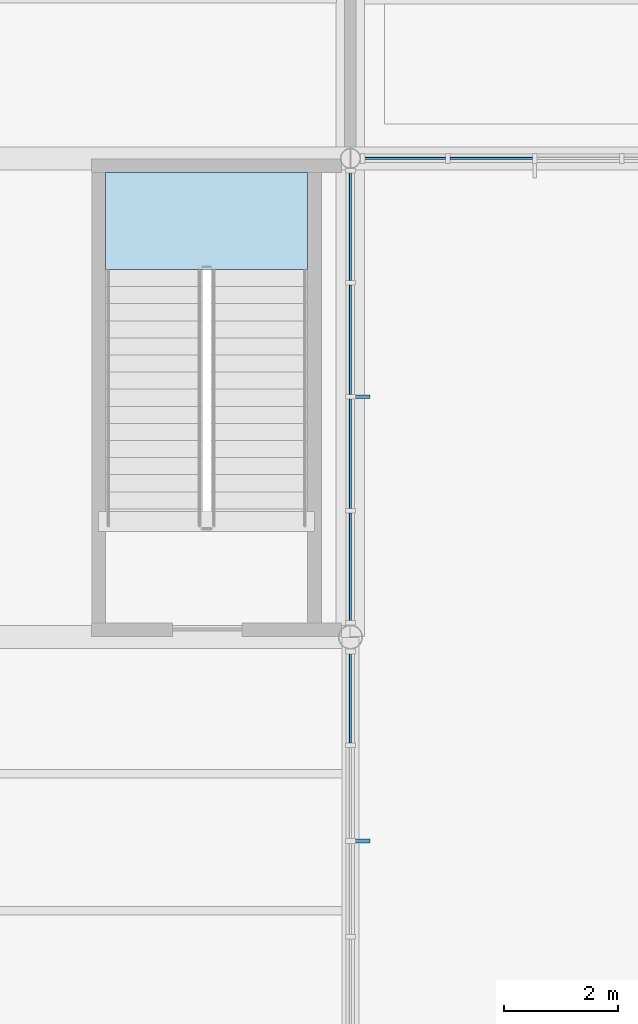
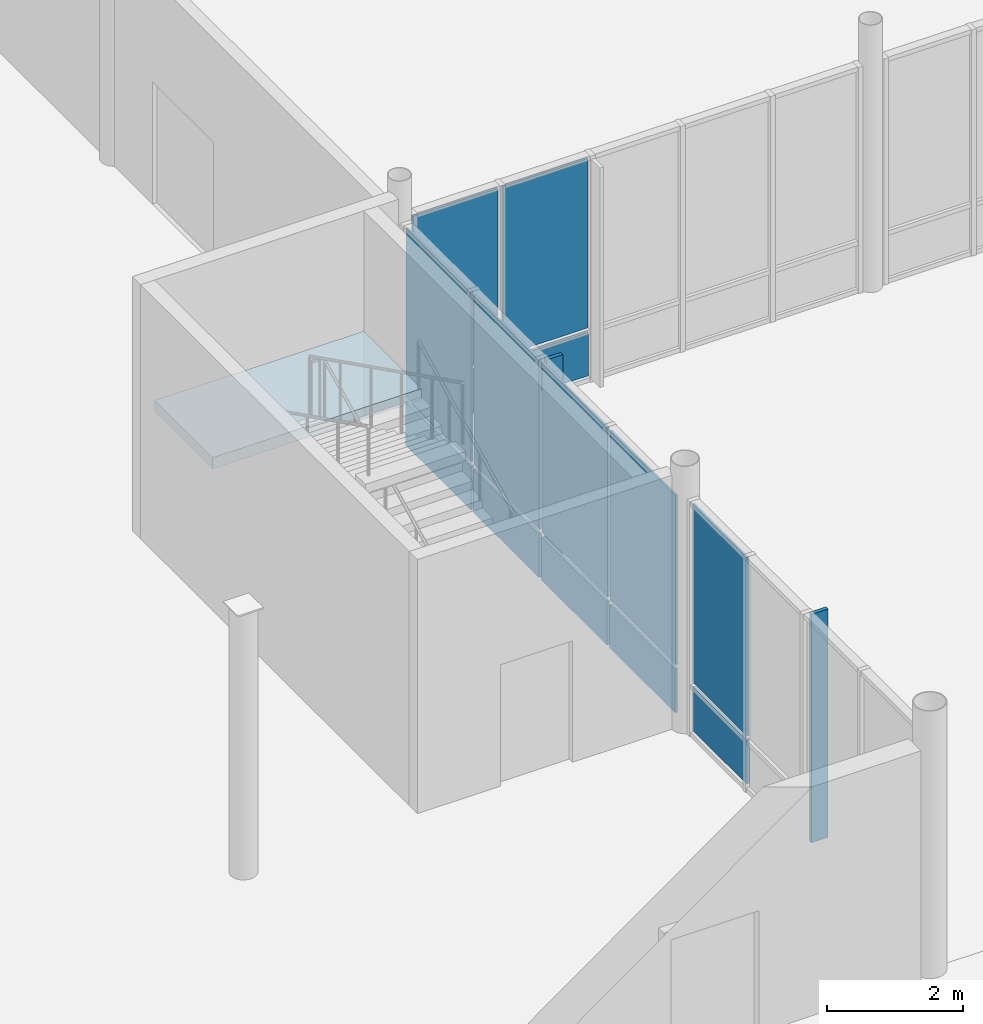
# One storey, part 39 of 82: 16 plates, 1 slab, 4 elements without a shape of their own.
"""IFC4 building model written with IfcOpenShell, lengths in metres."""

from ifc_helpers import new_model, si_unit, direction, frame, origin, origin_2d, place, context, subcontext, project, spatial, polyline, rectangle, outline, extrude, material, layer, layer_set, type_object, element, aggregate, save


model = new_model("IFC4")

# Units and contexts
model_context = context("Model", 3, precision=1e-05, world=origin(), true_north=direction((0.0, 1.0)))
body_context = subcontext(model_context, "Body", "Model", "MODEL_VIEW")
ifc_project = project(units=[si_unit("LENGTHUNIT", "METRE"), si_unit("AREAUNIT", "SQUARE_METRE"), si_unit("VOLUMEUNIT", "CUBIC_METRE"), si_unit("PLANEANGLEUNIT", "RADIAN"), si_unit("MASSUNIT", "GRAM", prefix="KILO")], contexts=[model_context])

# Site, building, storey
site_placement = place(None, origin())
site = spatial("IfcSite", under=ifc_project, at=site_placement, CompositionType="ELEMENT")
building_placement = place(site_placement, origin())
building = spatial("IfcBuilding", under=site, at=building_placement, Name="Yukiwa Park Conservatory and Herbarium", CompositionType="ELEMENT")
storey_placement = place(building_placement, origin())
storey = spatial("IfcBuildingStorey", under=building, at=storey_placement, Name="L00", CompositionType="ELEMENT", Elevation=0.0)

# Curtain wall, plate
ifc_material_1 = material(Name="Triple Low-E Insulated Glass", Category="glass")
ifc_layer_1 = layer(ifc_material_1, 0.1640625)
ifc_layer_set_1 = layer_set([ifc_layer_1], Name="Triple Low-E Insulated Glass")
curtain_wall_type_1 = type_object("IfcCurtainWallType", Name="CW-CONSERVATORY-1875", PredefinedType="NOTDEFINED", material=ifc_layer_set_1)
curtain_wall_1_placement = place(storey_placement, origin())
curtain_wall_1 = element("IfcCurtainWall", 1, at=curtain_wall_1_placement, inside=storey, type_object=curtain_wall_type_1, Name="L00 unitised curtain wall CW-L00-005", PredefinedType="NOTDEFINED")
ifc_material_2 = material(Name="Triple Low-E Insulated Glass", Category="glass")
ifc_layer_2 = layer(ifc_material_2, 0.035888671875)
ifc_layer_set_2 = layer_set([ifc_layer_2], Name="Triple Low-E Insulated Glass")
plate_type_1 = type_object("IfcPlateType", Name="PL-CW-GLZ-36", PredefinedType="CURTAIN_PANEL", material=ifc_layer_set_2)
plate_1_placement = place(storey_placement, frame((60.0, 6.1455078125, 0.93994140625), z_axis=(0.0, 0.0, 1.0), x_axis=(0.0, 1.0, 0.0)))
plate_1 = element("IfcPlate", 2, at=plate_1_placement, type_object=plate_type_1, Name="CW-L00-005 vision panel 4.2", PredefinedType="CURTAIN_PANEL", context=body_context, shape_type="SweptSolid", body=[
    extrude(rectangle(XDim=1.603271484375, YDim=0.035888671875, at=origin_2d()), origin(), (0.0, 0.0, 1.0), 3.199951171875),
])

# Curtain wall, plates
curtain_wall_2_placement = place(storey_placement, origin())
curtain_wall_2 = element("IfcCurtainWall", 3, at=curtain_wall_2_placement, inside=storey, type_object=curtain_wall_type_1, Name="L00 unitised curtain wall CW-L00-006", PredefinedType="NOTDEFINED")
plate_2_placement = place(storey_placement, frame((60.0, 8.4140625, 0.93994140625), z_axis=(0.0, 0.0, 1.0), x_axis=(0.0, 1.0, 0.0)))
plate_2 = element("IfcPlate", 4, at=plate_2_placement, type_object=plate_type_1, Name="CW-L00-006 vision panel 1.2", PredefinedType="CURTAIN_PANEL", context=body_context, shape_type="SweptSolid", body=[
    extrude(rectangle(XDim=1.92236328125, YDim=0.035888671875, at=origin_2d()), origin(), (0.0, 0.0, 1.0), 3.0400390625),
])
plate_3_placement = place(storey_placement, frame((60.0, 10.41650390625, 0.93994140625), z_axis=(0.0, 0.0, 1.0), x_axis=(0.0, 1.0, 0.0)))
plate_3 = element("IfcPlate", 5, at=plate_3_placement, type_object=plate_type_1, Name="CW-L00-006 vision panel 2.2", PredefinedType="CURTAIN_PANEL", context=body_context, shape_type="SweptSolid", body=[
    extrude(rectangle(XDim=1.92236328125, YDim=0.035888671875, at=origin_2d()), origin(), (0.0, 0.0, 1.0), 3.0400390625),
])
plate_4_placement = place(storey_placement, frame((60.0, 12.418701171875, 0.93994140625), z_axis=(0.0, 0.0, 1.0), x_axis=(0.0, 1.0, 0.0)))
plate_4 = element("IfcPlate", 6, at=plate_4_placement, type_object=plate_type_1, Name="CW-L00-006 vision panel 3.2", PredefinedType="CURTAIN_PANEL", context=body_context, shape_type="SweptSolid", body=[
    extrude(rectangle(XDim=1.92236328125, YDim=0.035888671875, at=origin_2d()), origin(), (0.0, 0.0, 1.0), 3.0400390625),
])
plate_5_placement = place(storey_placement, frame((60.0, 14.421142578125, 0.93994140625), z_axis=(0.0, 0.0, 1.0), x_axis=(0.0, 1.0, 0.0)))
plate_5 = element("IfcPlate", 7, at=plate_5_placement, type_object=plate_type_1, Name="CW-L00-006 vision panel 4.2", PredefinedType="CURTAIN_PANEL", context=body_context, shape_type="SweptSolid", body=[
    extrude(rectangle(XDim=1.92236328125, YDim=0.035888671875, at=origin_2d()), origin(), (0.0, 0.0, 1.0), 3.0400390625),
])

ifc_material_3 = material(Name="Triple Low-E Insulated Glass", Category="glass")
ifc_layer_3 = layer(ifc_material_3, 0.176025390625)
ifc_layer_set_3 = layer_set([ifc_layer_3], Name="Triple Low-E Insulated Glass")
curtain_wall_type_2 = type_object("IfcCurtainWallType", Name="CW-CONCOURSE-1600", PredefinedType="NOTDEFINED", material=ifc_layer_set_3)
curtain_wall_3_placement = place(storey_placement, origin())
curtain_wall_3 = element("IfcCurtainWall", 8, at=curtain_wall_3_placement, inside=storey, type_object=curtain_wall_type_2, Name="L00 unitised curtain wall CW-L00-007", PredefinedType="NOTDEFINED")
plate_6_placement = place(storey_placement, frame((60.942138671875, 15.60009765625, 0.93994140625), z_axis=(0.0, 0.0, 1.0), x_axis=(1.0, 0.0, 0.0)))
plate_6 = element("IfcPlate", 9, at=plate_6_placement, type_object=plate_type_1, Name="CW-L00-007 vision panel 1.2", PredefinedType="CURTAIN_PANEL", context=body_context, shape_type="SweptSolid", body=[
    extrude(rectangle(XDim=1.448974609375, YDim=0.035888671875, at=origin_2d()), origin(), (0.0, 0.0, 1.0), 3.0400390625),
])
plate_7_placement = place(storey_placement, frame((62.47119140625, 15.60009765625, 0.93994140625), z_axis=(0.0, 0.0, 1.0), x_axis=(1.0, 0.0, 0.0)))
plate_7 = element("IfcPlate", 10, at=plate_7_placement, type_object=plate_type_1, Name="CW-L00-007 vision panel 2.2", PredefinedType="CURTAIN_PANEL", context=body_context, shape_type="SweptSolid", body=[
    extrude(rectangle(XDim=1.448974609375, YDim=0.035888671875, at=origin_2d()), origin(), (0.0, 0.0, 1.0), 3.0400390625),
])

# Plate
ifc_material_4 = material(Name="Anodised Aluminium", Category="aluminium")
ifc_layer_4 = layer(ifc_material_4, 0.044921875)
ifc_layer_set_4 = layer_set([ifc_layer_4], Name="Anodised Aluminium")
plate_type_2 = type_object("IfcPlateType", Name="PL-CW-SPN-45", PredefinedType="CURTAIN_PANEL", material=ifc_layer_set_4)
plate_8_placement = place(storey_placement, frame((60.0, 6.1455078125, 0.080078125), z_axis=(0.0, 0.0, 1.0), x_axis=(0.0, 1.0, 0.0)))
plate_8 = element("IfcPlate", 11, at=plate_8_placement, type_object=plate_type_2, Name="CW-L00-005 spandrel panel 4.1", PredefinedType="CURTAIN_PANEL", context=body_context, shape_type="SweptSolid", body=[
    extrude(rectangle(XDim=1.603271484375, YDim=0.044921875, at=origin_2d()), origin(), (0.0, 0.0, 1.0), 0.780029296875),
])

aggregate(curtain_wall_1, [plate_8, plate_1])

plate_9_placement = place(storey_placement, frame((60.0, 8.4140625, 0.080078125), z_axis=(0.0, 0.0, 1.0), x_axis=(0.0, 1.0, 0.0)))
plate_9 = element("IfcPlate", 12, at=plate_9_placement, type_object=plate_type_2, Name="CW-L00-006 spandrel panel 1.1", PredefinedType="CURTAIN_PANEL", context=body_context, shape_type="SweptSolid", body=[
    extrude(rectangle(XDim=1.92236328125, YDim=0.044921875, at=origin_2d()), origin(), (0.0, 0.0, 1.0), 0.780029296875),
])

plate_10_placement = place(storey_placement, frame((60.0, 10.41650390625, 0.080078125), z_axis=(0.0, 0.0, 1.0), x_axis=(0.0, 1.0, 0.0)))
plate_10 = element("IfcPlate", 13, at=plate_10_placement, type_object=plate_type_2, Name="CW-L00-006 spandrel panel 2.1", PredefinedType="CURTAIN_PANEL", context=body_context, shape_type="SweptSolid", body=[
    extrude(rectangle(XDim=1.92236328125, YDim=0.044921875, at=origin_2d()), origin(), (0.0, 0.0, 1.0), 0.780029296875),
])

plate_11_placement = place(storey_placement, frame((60.0, 12.418701171875, 0.080078125), z_axis=(0.0, 0.0, 1.0), x_axis=(0.0, 1.0, 0.0)))
plate_11 = element("IfcPlate", 14, at=plate_11_placement, type_object=plate_type_2, Name="CW-L00-006 spandrel panel 3.1", PredefinedType="CURTAIN_PANEL", context=body_context, shape_type="SweptSolid", body=[
    extrude(rectangle(XDim=1.92236328125, YDim=0.044921875, at=origin_2d()), origin(), (0.0, 0.0, 1.0), 0.780029296875),
])

plate_12_placement = place(storey_placement, frame((60.0, 14.421142578125, 0.080078125), z_axis=(0.0, 0.0, 1.0), x_axis=(0.0, 1.0, 0.0)))
plate_12 = element("IfcPlate", 15, at=plate_12_placement, type_object=plate_type_2, Name="CW-L00-006 spandrel panel 4.1", PredefinedType="CURTAIN_PANEL", context=body_context, shape_type="SweptSolid", body=[
    extrude(rectangle(XDim=1.92236328125, YDim=0.044921875, at=origin_2d()), origin(), (0.0, 0.0, 1.0), 0.780029296875),
])

aggregate(curtain_wall_2, [plate_9, plate_2, plate_10, plate_3, plate_11, plate_4, plate_12, plate_5])

plate_13_placement = place(storey_placement, frame((60.942138671875, 15.60009765625, 0.080078125), z_axis=(0.0, 0.0, 1.0), x_axis=(1.0, 0.0, 0.0)))
plate_13 = element("IfcPlate", 16, at=plate_13_placement, type_object=plate_type_2, Name="CW-L00-007 spandrel panel 1.1", PredefinedType="CURTAIN_PANEL", context=body_context, shape_type="SweptSolid", body=[
    extrude(rectangle(XDim=1.448974609375, YDim=0.044921875, at=origin_2d()), origin(), (0.0, 0.0, 1.0), 0.780029296875),
])

plate_14_placement = place(storey_placement, frame((62.47119140625, 15.60009765625, 0.080078125), z_axis=(0.0, 0.0, 1.0), x_axis=(1.0, 0.0, 0.0)))
plate_14 = element("IfcPlate", 17, at=plate_14_placement, type_object=plate_type_2, Name="CW-L00-007 spandrel panel 2.1", PredefinedType="CURTAIN_PANEL", context=body_context, shape_type="SweptSolid", body=[
    extrude(rectangle(XDim=1.448974609375, YDim=0.044921875, at=origin_2d()), origin(), (0.0, 0.0, 1.0), 0.780029296875),
])

aggregate(curtain_wall_3, [plate_13, plate_6, plate_14, plate_7])

# Plates
ifc_material_5 = material(Name="Charred Larch Cladding", Category="wood")
ifc_layer_5 = layer(ifc_material_5, 0.06494140625)
ifc_layer_set_5 = layer_set([ifc_layer_5], Name="Charred Larch Cladding")
plate_type_3 = type_object("IfcPlateType", Name="PL-FIN-LARCH-65", PredefinedType="USERDEFINED", material=ifc_layer_set_5)
plate_15_placement = place(storey_placement, frame((60.205078125, 3.62060546875, 0.06005859375), z_axis=(0.0, 0.0, 1.0), x_axis=(0.0, 1.0, 0.0)))
element("IfcPlate", 18, at=plate_15_placement, inside=storey, type_object=plate_type_3, Name="CW-L00-005 exterior vertical shading fin", ObjectType="SHADING FIN", PredefinedType="USERDEFINED", context=body_context, shape_type="SweptSolid", body=[
    extrude(rectangle(XDim=0.06494140625, YDim=0.280029296875, at=origin_2d()), origin(), (0.0, 0.0, 1.0), 4.10009765625),
])
plate_16_placement = place(storey_placement, frame((60.205078125, 11.41748046875, 0.06005859375), z_axis=(0.0, 0.0, 1.0), x_axis=(0.0, 1.0, 0.0)))
element("IfcPlate", 19, at=plate_16_placement, inside=storey, type_object=plate_type_3, Name="CW-L00-006 exterior vertical shading fin", ObjectType="SHADING FIN", PredefinedType="USERDEFINED", context=body_context, shape_type="SweptSolid", body=[
    extrude(rectangle(XDim=0.06494140625, YDim=0.280029296875, at=origin_2d()), origin(), (0.0, 0.0, 1.0), 3.93994140625),
])

# Stair, slab
ifc_material_6 = material(Name="Concrete C40", Category="concrete")
stair_type = type_object("IfcStairType", Name="ST-DOGLEG-ST-C2", PredefinedType="HALF_TURN_STAIR", material=ifc_material_6)
stair_placement = place(storey_placement, origin())
stair = element("IfcStair", 20, at=stair_placement, inside=storey, type_object=stair_type, Name="L00 Conservatory East Exit Stair ST-C2", PredefinedType="HALF_TURN_STAIR")
ifc_material_7 = material(Name="Concrete C40", Category="concrete")
ifc_layer_6 = layer(ifc_material_7, 0.199951171875)
ifc_layer_set_6 = layer_set([ifc_layer_6], Name="Concrete C40")
slab_type = type_object("IfcSlabType", Name="SL-LANDING-220", PredefinedType="LANDING", material=ifc_layer_set_6)
slab_placement = place(storey_placement, frame((0.0, 0.0, 2.199951171875)))
slab = element("IfcSlab", 21, at=slab_placement, type_object=slab_type, Name="ST-C2 landing 1", PredefinedType="LANDING", context=body_context, shape_type="SweptSolid", body=[
    extrude(outline(polyline([(59.25, 13.64990234375), (59.25, 15.35009765625), (55.699951171875, 15.35009765625), (55.699951171875, 13.64990234375), (59.25, 13.64990234375)])), origin(), (0.0, 0.0, 1.0), 0.199951171875),
])
aggregate(stair, [slab])

save(model, "model.ifc")
